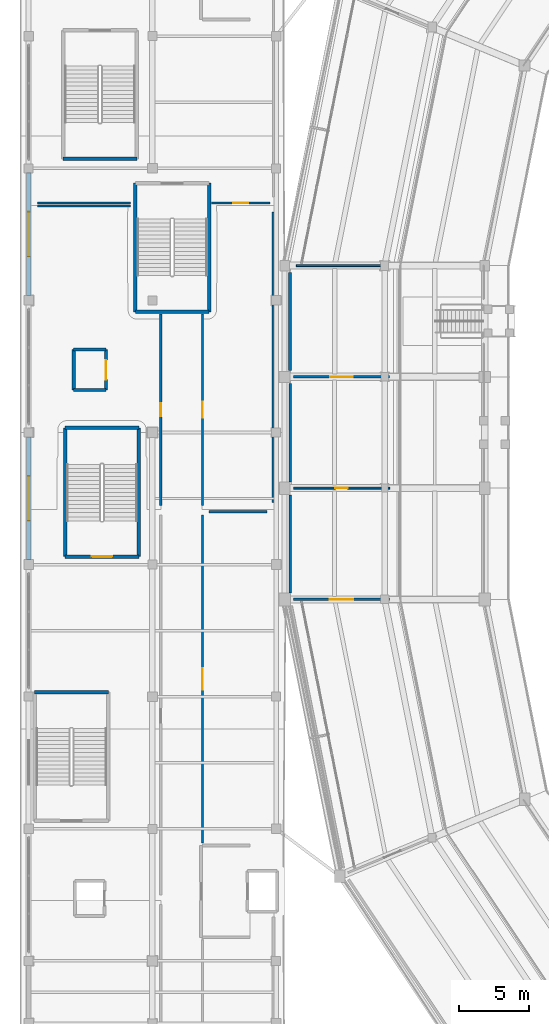
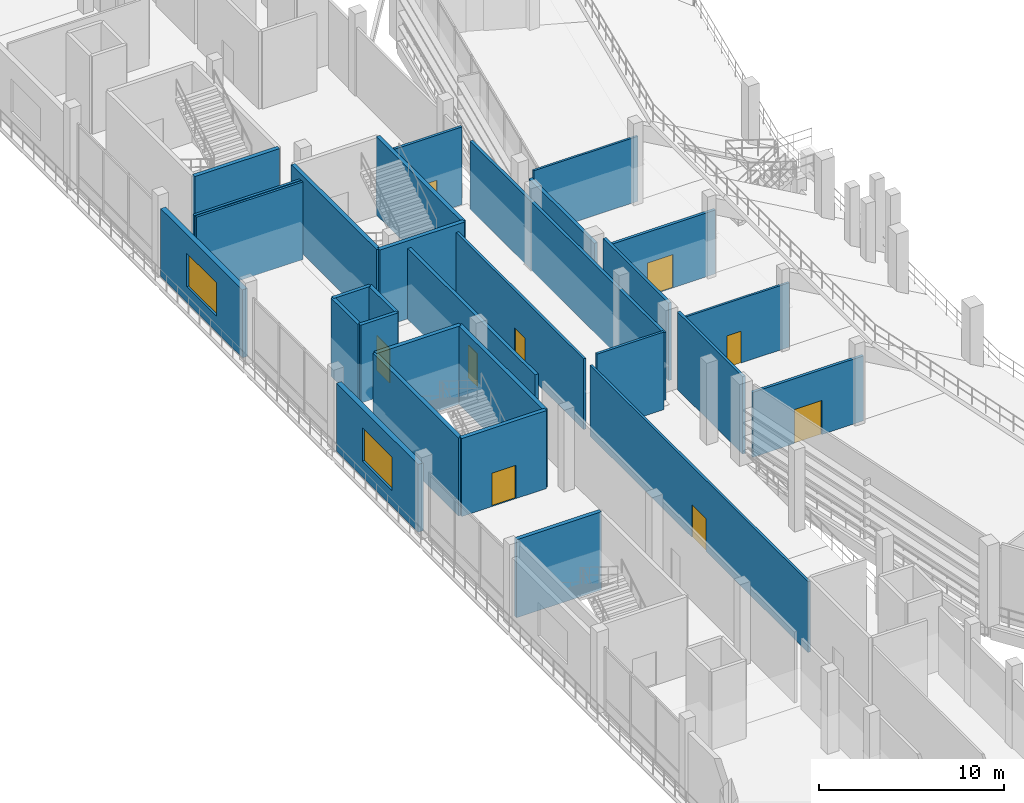
# One storey, part 76 of 127: 30 walls, 9 doors, 2 windows, 11 openings.
"""IFC4 building model written with IfcOpenShell, lengths in metres."""

from ifc_helpers import new_model, si_unit, direction, frame, frame_2d, origin, place, context, subcontext, project, spatial, rectangle, extrude, material, layer, layer_set, type_object, element, fill, save


model = new_model("IFC4")

# Units and contexts
model_context = context("Model", 3, precision=1e-05, world=origin(), true_north=direction((0.0, 1.0)))
body_context = subcontext(model_context, "Body", "Model", "MODEL_VIEW")
ifc_project = project(units=[si_unit("LENGTHUNIT", "METRE"), si_unit("AREAUNIT", "SQUARE_METRE"), si_unit("VOLUMEUNIT", "CUBIC_METRE"), si_unit("PLANEANGLEUNIT", "RADIAN"), si_unit("MASSUNIT", "GRAM", prefix="KILO")], contexts=[model_context])

# Site, building, storey
site_placement = place(None, origin())
site = spatial("IfcSite", under=ifc_project, at=site_placement, CompositionType="ELEMENT")
building_placement = place(site_placement, origin())
building = spatial("IfcBuilding", under=site, at=building_placement, Name="Candeia Ridge Stadium", CompositionType="ELEMENT")
storey_placement = place(building_placement, frame((0.0, 0.0, 10.800048828125)))
storey = spatial("IfcBuildingStorey", under=building, at=storey_placement, Name="L02", CompositionType="ELEMENT", Elevation=10.800048828125)

# Walls
ifc_material_1 = material(Name="Gypsum Metal-Stud Partition", Category="gypsum")
ifc_layer_1 = layer(ifc_material_1, 0.14501953125, Name="Gypsum Metal-Stud Partition", Category="gypsum")
ifc_layer_set_1 = layer_set([ifc_layer_1], Name="Gypsum Metal-Stud Partition")
wall_type_1 = type_object("IfcWallType", Name="Athlete Recovery Partition 145", PredefinedType="PARTITIONING", material=ifc_layer_set_1)
wall_1_placement = place(storey_placement, frame((1.25, 99.300048828125, 0.0), z_axis=(0.0, 0.0, 1.0), x_axis=(1.0, 0.0, 0.0)))
element("IfcWall", 1, at=wall_1_placement, inside=storey, type_object=wall_type_1, Name="Demising partition PT-L02-0343", PredefinedType="PARTITIONING", context=body_context, shape_type="SweptSolid", body=[
    extrude(rectangle(XDim=6.659912109375, YDim=0.14501953125, at=frame_2d((3.330078125, 0.0))), origin(), (0.0, 0.0, 1.0), 5.119873046875),
])
ifc_material_2 = material(Name="Gypsum Acoustic Twin-Stud Assembly", Category="gypsum")
ifc_layer_2 = layer(ifc_material_2, 0.159912109375, Name="Gypsum Acoustic Twin-Stud Assembly", Category="gypsum")
ifc_layer_set_2 = layer_set([ifc_layer_2], Name="Gypsum Acoustic Twin-Stud Assembly")
wall_type_2 = type_object("IfcWallType", Name="Club Dining Acoustic Partition 160", PredefinedType="PARTITIONING", material=ifc_layer_set_2)
wall_2_placement = place(storey_placement, frame((13.550048828125, 77.300048828125, 0.0), z_axis=(0.0, 0.0, 1.0), x_axis=(1.0, 0.0, 0.0)))
element("IfcWall", 2, at=wall_2_placement, inside=storey, type_object=wall_type_2, Name="Demising partition PT-L02-0341", PredefinedType="PARTITIONING", context=body_context, shape_type="SweptSolid", body=[
    extrude(rectangle(XDim=4.199951171875, YDim=0.159912109375, at=frame_2d((2.10009765625, 0.0))), origin(), (0.0, 0.0, 1.0), 5.119873046875),
])

# Wall, opening, door
wall_3_placement = place(storey_placement, frame((13.10009765625, 77.75, 0.0), z_axis=(0.0, 0.0, 1.0), x_axis=(0.0, 1.0, 0.0)))
wall_3 = element("IfcWall", 3, at=wall_3_placement, inside=storey, type_object=wall_type_2, Name="Interior partition PT-L02-0344", PredefinedType="PARTITIONING", context=body_context, shape_type="SweptSolid", body=[
    extrude(rectangle(XDim=13.760009765625, YDim=0.159912109375, at=frame_2d((6.8798828125, 0.0))), origin(), (0.0, 0.0, 1.0), 4.677978515625),
])
opening_1_placement = place(wall_3_placement, frame((6.304931640625, 0.0, 0.0)))
opening_1 = element("IfcOpeningElement", 4, at=opening_1_placement, cuts=wall_3, Name="Opening ID02", PredefinedType="OPENING", context=body_context, shape_type="SweptSolid", body=[
    extrude(rectangle(XDim=1.14990234375, YDim=2.199951171875, at=frame_2d((0.574951171875, 1.10009765625))), frame((0.0, 0.08984375, 0.0), z_axis=(0.0, -1.0, 0.0), x_axis=(1.0, 0.0, 0.0)), (0.0, 0.0, 1.0), 0.179931640625),
])
ifc_material_3 = material(Name="Acoustic Timber Studio Leaf", Category="wood")
door_type_1 = type_object("IfcDoorType", Name="Broadcast & Press Studio Door 1150x2200", OperationType="NOTDEFINED", PredefinedType="DOOR", material=ifc_material_3)
door_1_placement = place(opening_1_placement, origin())
door_1 = element("IfcDoor", 5, at=door_1_placement, inside=storey, type_object=door_type_1, Name="Interior room door D-L02-0178", OperationType="SINGLE_SWING_RIGHT", OverallHeight=2.199951171875, OverallWidth=1.14990234375, PredefinedType="DOOR", context=body_context, shape_type="SweptSolid", body=[
    extrude(rectangle(XDim=1.14990234375, YDim=2.199951171875, at=frame_2d((0.574951171875, 1.10009765625))), frame((0.0, 0.02490234375, 0.0), z_axis=(0.0, -1.0, 0.0), x_axis=(1.0, 0.0, 0.0)), (0.0, 0.0, 1.0), 0.050048828125),
])
fill(opening_1, door_1)

ifc_material_4 = material(Name="Concrete Masonry Blockwork C25/30", Category="masonry")
ifc_layer_3 = layer(ifc_material_4, 0.14990234375, Name="Concrete Masonry Blockwork C25/30", Category="masonry")
ifc_layer_set_3 = layer_set([ifc_layer_3], Name="Concrete Masonry Blockwork C25/30")
wall_type_3 = type_object("IfcWallType", Name="Concourse Kiosk Partition 150", PredefinedType="PARTITIONING", material=ifc_layer_set_3)
wall_4_placement = place(storey_placement, frame((13.10009765625, 53.489990234375, 0.0), z_axis=(0.0, 0.0, 1.0), x_axis=(0.0, 1.0, 0.0)))
wall_4 = element("IfcWall", 6, at=wall_4_placement, inside=storey, type_object=wall_type_3, Name="Interior partition PT-L02-0340", PredefinedType="PARTITIONING", context=body_context, shape_type="SweptSolid", body=[
    extrude(rectangle(XDim=23.56005859375, YDim=0.14990234375, at=frame_2d((11.780029296875, 0.0))), origin(), (0.0, 0.0, 1.0), 4.677978515625),
])
opening_2_placement = place(wall_4_placement, frame((11.0048828125, 0.0, 0.0)))
opening_2 = element("IfcOpeningElement", 7, at=opening_2_placement, cuts=wall_4, Name="Opening ID14", PredefinedType="OPENING", context=body_context, shape_type="SweptSolid", body=[
    extrude(rectangle(XDim=1.550048828125, YDim=2.14990234375, at=frame_2d((0.77490234375, 1.074951171875))), frame((0.0, 0.0849609375, 0.0), z_axis=(0.0, -1.0, 0.0), x_axis=(1.0, 0.0, 0.0)), (0.0, 0.0, 1.0), 0.169921875),
])
ifc_material_5 = material(Name="Brushed Stainless Steel", Category="steel")
door_type_2 = type_object("IfcDoorType", Name="Catering Kitchen Double Door 1550x2150", OperationType="NOTDEFINED", PredefinedType="DOOR", material=ifc_material_5)
door_2_placement = place(opening_2_placement, origin())
door_2 = element("IfcDoor", 8, at=door_2_placement, inside=storey, type_object=door_type_2, Name="Interior room door D-L02-0176", OperationType="DOUBLE_DOOR_SINGLE_SWING", OverallHeight=2.14990234375, OverallWidth=1.550048828125, PredefinedType="DOOR", context=body_context, shape_type="SweptSolid", body=[
    extrude(rectangle(XDim=1.550048828125, YDim=2.14990234375, at=frame_2d((0.77490234375, 1.074951171875))), frame((0.0, 0.02490234375, 0.0), z_axis=(0.0, -1.0, 0.0), x_axis=(1.0, 0.0, 0.0)), (0.0, 0.0, 1.0), 0.050048828125),
])
fill(opening_2, door_2)

# Walls
ifc_material_6 = material(Name="Concrete C40/50", Category="concrete")
ifc_layer_4 = layer(ifc_material_6, 0.25, Name="Concrete C40/50", Category="concrete")
ifc_layer_set_4 = layer_set([ifc_layer_4], Name="Concrete C40/50")
wall_type_4 = type_object("IfcWallType", Name="Core Shear Wall Concrete 250", PredefinedType="SHEAR", material=ifc_layer_set_4)
wall_5_placement = place(storey_placement, frame((6.32470703125, 64.32470703125, 0.0), z_axis=(0.0, 0.0, 1.0), x_axis=(-1.0, 0.0, 0.0)))
element("IfcWall", 9, at=wall_5_placement, inside=storey, type_object=wall_type_4, Name="Core C05 far shear wall L02", PredefinedType="SHEAR", context=body_context, shape_type="SweptSolid", body=[
    extrude(rectangle(XDim=5.29931640625, YDim=0.25, at=frame_2d((2.649658203125, 0.0))), origin(), (0.0, 0.0, 1.0), 5.14990234375),
])
wall_6_placement = place(storey_placement, frame((3.075439453125, 102.67529296875, 0.0), z_axis=(0.0, 0.0, 1.0), x_axis=(1.0, 0.0, 0.0)))
element("IfcWall", 10, at=wall_6_placement, inside=storey, type_object=wall_type_4, Name="Core C06 far shear wall L02", PredefinedType="SHEAR", context=body_context, shape_type="SweptSolid", body=[
    extrude(rectangle(XDim=5.299072265625, YDim=0.25, at=frame_2d((2.6494140625, 0.0))), origin(), (0.0, 0.0, 1.0), 5.14990234375),
])
wall_7_placement = place(storey_placement, frame((8.524658203125, 74.075439453125, 0.0), z_axis=(0.0, 0.0, 1.0), x_axis=(0.0, 1.0, 0.0)))
element("IfcWall", 11, at=wall_7_placement, inside=storey, type_object=wall_type_4, Name="Core C07 left shear wall L02", PredefinedType="SHEAR", context=body_context, shape_type="SweptSolid", body=[
    extrude(rectangle(XDim=9.249267578125, YDim=0.25, at=frame_2d((4.62451171875, 0.0))), origin(), (0.0, 0.0, 1.0), 5.14990234375),
])
wall_8_placement = place(storey_placement, frame((8.524658203125, 83.32470703125, 0.0), z_axis=(0.0, 0.0, 1.0), x_axis=(-1.0, 0.0, 0.0)))
element("IfcWall", 12, at=wall_8_placement, inside=storey, type_object=wall_type_4, Name="Core C07 far shear wall L02", PredefinedType="SHEAR", context=body_context, shape_type="SweptSolid", body=[
    extrude(rectangle(XDim=5.29931640625, YDim=0.25, at=frame_2d((2.649658203125, 0.0))), origin(), (0.0, 0.0, 1.0), 5.14990234375),
])
wall_9_placement = place(storey_placement, frame((3.225341796875, 83.32470703125, 0.0), z_axis=(0.0, 0.0, 1.0), x_axis=(0.0, -1.0, 0.0)))
element("IfcWall", 13, at=wall_9_placement, inside=storey, type_object=wall_type_4, Name="Core C07 right shear wall L02", PredefinedType="SHEAR", context=body_context, shape_type="SweptSolid", body=[
    extrude(rectangle(XDim=9.249267578125, YDim=0.25, at=frame_2d((4.62451171875, 0.0))), origin(), (0.0, 0.0, 1.0), 5.14990234375),
])

# Wall, opening, door
wall_10_placement = place(storey_placement, frame((3.225341796875, 74.075439453125, 0.0), z_axis=(0.0, 0.0, 1.0), x_axis=(1.0, 0.0, 0.0)))
wall_10 = element("IfcWall", 14, at=wall_10_placement, inside=storey, type_object=wall_type_4, Name="Core C07 near shear wall L02", PredefinedType="SHEAR", context=body_context, shape_type="SweptSolid", body=[
    extrude(rectangle(XDim=5.29931640625, YDim=0.25, at=frame_2d((2.649658203125, 0.0))), origin(), (0.0, 0.0, 1.0), 5.14990234375),
])
opening_3_placement = place(wall_10_placement, frame((1.899658203125, 0.0, 0.0)))
opening_3 = element("IfcOpeningElement", 15, at=opening_3_placement, cuts=wall_10, Name="Opening FD01", PredefinedType="OPENING", context=body_context, shape_type="SweptSolid", body=[
    extrude(rectangle(XDim=1.5, YDim=2.199951171875, at=frame_2d((0.75, 1.10009765625))), frame((0.0, 0.135009765625, 0.0), z_axis=(0.0, -1.0, 0.0), x_axis=(1.0, 0.0, 0.0)), (0.0, 0.0, 1.0), 0.27001953125),
])
ifc_material_7 = material(Name="Galvanized Fire-Rated Steel", Category="steel")
door_type_3 = type_object("IfcDoorType", Name="Exit Stair Core Fire Door 1500x2200", OperationType="NOTDEFINED", PredefinedType="DOOR", material=ifc_material_7)
door_3_placement = place(opening_3_placement, origin())
door_3 = element("IfcDoor", 16, at=door_3_placement, inside=storey, type_object=door_type_3, Name="Exit stair fire door SD-ST07-L02", OperationType="DOUBLE_DOOR_SINGLE_SWING", OverallHeight=2.199951171875, OverallWidth=1.5, PredefinedType="DOOR", context=body_context, shape_type="SweptSolid", body=[
    extrude(rectangle(XDim=1.5, YDim=2.199951171875, at=frame_2d((0.75, 1.10009765625))), frame((0.0, 0.02490234375, 0.0), z_axis=(0.0, -1.0, 0.0), x_axis=(1.0, 0.0, 0.0)), (0.0, 0.0, 1.0), 0.050048828125),
])
fill(opening_3, door_3)

# Walls
wall_11_placement = place(storey_placement, frame((8.275390625, 100.924560546875, 0.0), z_axis=(0.0, 0.0, 1.0), x_axis=(0.0, -1.0, 0.0)))
element("IfcWall", 17, at=wall_11_placement, inside=storey, type_object=wall_type_4, Name="Core C08 left shear wall L02", PredefinedType="SHEAR", context=body_context, shape_type="SweptSolid", body=[
    extrude(rectangle(XDim=9.249267578125, YDim=0.25, at=frame_2d((4.62451171875, 0.0))), origin(), (0.0, 0.0, 1.0), 5.14990234375),
])
wall_12_placement = place(storey_placement, frame((8.275390625, 91.67529296875, 0.0), z_axis=(0.0, 0.0, 1.0), x_axis=(1.0, 0.0, 0.0)))
element("IfcWall", 18, at=wall_12_placement, inside=storey, type_object=wall_type_4, Name="Core C08 far shear wall L02", PredefinedType="SHEAR", context=body_context, shape_type="SweptSolid", body=[
    extrude(rectangle(XDim=5.29931640625, YDim=0.25, at=frame_2d((2.649658203125, 0.0))), origin(), (0.0, 0.0, 1.0), 5.14990234375),
])
wall_13_placement = place(storey_placement, frame((13.57470703125, 91.67529296875, 0.0), z_axis=(0.0, 0.0, 1.0), x_axis=(0.0, 1.0, 0.0)))
element("IfcWall", 19, at=wall_13_placement, inside=storey, type_object=wall_type_4, Name="Core C08 right shear wall L02", PredefinedType="SHEAR", context=body_context, shape_type="SweptSolid", body=[
    extrude(rectangle(XDim=9.249267578125, YDim=0.25, at=frame_2d((4.62451171875, 0.0))), origin(), (0.0, 0.0, 1.0), 5.14990234375),
])

# Wall, opening, door
ifc_layer_5 = layer(ifc_material_2, 0.179931640625, Name="Gypsum Acoustic Twin-Stud Assembly", Category="gypsum")
ifc_layer_set_5 = layer_set([ifc_layer_5], Name="Gypsum Acoustic Twin-Stud Assembly")
wall_type_5 = type_object("IfcWallType", Name="Corridor Fire Partition 180", PredefinedType="PARTITIONING", material=ifc_layer_set_5)
wall_14_placement = place(storey_placement, frame((26.550048828125, 87.0, 0.0), z_axis=(0.0, 0.0, 1.0), x_axis=(-1.0, 0.0, 0.0)))
wall_14 = element("IfcWall", 20, at=wall_14_placement, inside=storey, type_object=wall_type_5, Name="Interior partition PT-L02-0463", PredefinedType="PARTITIONING", context=body_context, shape_type="SweptSolid", body=[
    extrude(rectangle(XDim=6.900146484375, YDim=0.179931640625, at=frame_2d((3.4501953125, 0.0))), origin(), (0.0, 0.0, 1.0), 4.21484375),
])
opening_4_placement = place(wall_14_placement, frame((2.64990234375, 0.0, 0.0)))
opening_4 = element("IfcOpeningElement", 21, at=opening_4_placement, cuts=wall_14, Name="Opening ID03", PredefinedType="OPENING", context=body_context, shape_type="SweptSolid", body=[
    extrude(rectangle(XDim=1.60009765625, YDim=2.199951171875, at=frame_2d((0.800048828125, 1.10009765625))), frame((0.0, 0.099853515625, 0.0), z_axis=(0.0, -1.0, 0.0), x_axis=(1.0, 0.0, 0.0)), (0.0, 0.0, 1.0), 0.199951171875),
])
ifc_material_8 = material(Name="Solid Core Hardwood Veneer", Category="wood")
door_type_4 = type_object("IfcDoorType", Name="Athlete Dressing Double Door 1600x2200", OperationType="NOTDEFINED", PredefinedType="DOOR", material=ifc_material_8)
door_4_placement = place(opening_4_placement, origin())
door_4 = element("IfcDoor", 22, at=door_4_placement, inside=storey, type_object=door_type_4, Name="Interior room door D-L02-0239", OperationType="DOUBLE_DOOR_SINGLE_SWING", OverallHeight=2.199951171875, OverallWidth=1.60009765625, PredefinedType="DOOR", context=body_context, shape_type="SweptSolid", body=[
    extrude(rectangle(XDim=1.60009765625, YDim=2.199951171875, at=frame_2d((0.800048828125, 1.10009765625))), frame((0.0, 0.02490234375, 0.0), z_axis=(0.0, -1.0, 0.0), x_axis=(1.0, 0.0, 0.0)), (0.0, 0.0, 1.0), 0.050048828125),
])
fill(opening_4, door_4)

# Wall, opening, window
ifc_material_9 = material(Name="Concrete C35/45", Category="concrete")
ifc_layer_6 = layer(ifc_material_9, 0.320068359375, Name="Concrete C35/45", Category="concrete")
ifc_layer_set_6 = layer_set([ifc_layer_6], Name="Concrete C35/45")
wall_type_6 = type_object("IfcWallType", Name="Exterior Cedar-Clad Insulated Wall 320", PredefinedType="SOLIDWALL", material=ifc_layer_set_6)
wall_15_placement = place(storey_placement, frame((0.60009765625, 73.837890625, 0.0), z_axis=(0.0, 0.0, 1.0), x_axis=(0.0, 1.0, 0.0)))
wall_15 = element("IfcWall", 23, at=wall_15_placement, inside=storey, type_object=wall_type_6, Name="Exterior facade wall EW-L02-0078", PredefinedType="SOLIDWALL", context=body_context, shape_type="SweptSolid", body=[
    extrude(rectangle(XDim=8.84912109375, YDim=0.320068359375, at=frame_2d((4.424560546875, 0.0))), origin(), (0.0, 0.0, 1.0), 4.48486328125),
])
opening_5_placement = place(wall_15_placement, frame((2.824462890625, 0.0, 1.050048828125)))
opening_5 = element("IfcOpeningElement", 24, at=opening_5_placement, cuts=wall_15, Name="Opening W05", PredefinedType="OPENING", context=body_context, shape_type="SweptSolid", body=[
    extrude(rectangle(XDim=3.199951171875, YDim=2.199951171875, at=frame_2d((1.60009765625, 1.10009765625))), frame((0.0, 0.169921875, 0.0), z_axis=(0.0, -1.0, 0.0), x_axis=(1.0, 0.0, 0.0)), (0.0, 0.0, 1.0), 0.340087890625),
])
ifc_material_10 = material(Name="Tempered Solar-Control Double Glazing", Category="glass")
window_type = type_object("IfcWindowType", Name="Club Dining Picture Window 3200x2200", PartitioningType="SINGLE_PANEL", PredefinedType="WINDOW", material=ifc_material_10)
window_1_placement = place(opening_5_placement, origin())
window_1 = element("IfcWindow", 25, at=window_1_placement, inside=storey, type_object=window_type, Name="Exterior window WIN-L02-032", OverallHeight=2.199951171875, OverallWidth=3.199951171875, PartitioningType="SINGLE_PANEL", PredefinedType="WINDOW", context=body_context, shape_type="SweptSolid", body=[
    extrude(rectangle(XDim=3.199951171875, YDim=2.199951171875, at=frame_2d((1.60009765625, 1.10009765625))), frame((0.0, 0.030029296875, 0.0), z_axis=(0.0, -1.0, 0.0), x_axis=(1.0, 0.0, 0.0)), (0.0, 0.0, 1.0), 0.06005859375),
])
fill(opening_5, window_1)

wall_16_placement = place(storey_placement, frame((0.60009765625, 92.837890625, 0.0), z_axis=(0.0, 0.0, 1.0), x_axis=(0.0, 1.0, 0.0)))
wall_16 = element("IfcWall", 26, at=wall_16_placement, inside=storey, type_object=wall_type_6, Name="Exterior facade wall EW-L02-0079", PredefinedType="SOLIDWALL", context=body_context, shape_type="SweptSolid", body=[
    extrude(rectangle(XDim=8.84912109375, YDim=0.320068359375, at=frame_2d((4.424560546875, 0.0))), origin(), (0.0, 0.0, 1.0), 4.48486328125),
])
opening_6_placement = place(wall_16_placement, frame((2.824462890625, 0.0, 1.050048828125)))
opening_6 = element("IfcOpeningElement", 27, at=opening_6_placement, cuts=wall_16, Name="Opening W05", PredefinedType="OPENING", context=body_context, shape_type="SweptSolid", body=[
    extrude(rectangle(XDim=3.199951171875, YDim=2.199951171875, at=frame_2d((1.60009765625, 1.10009765625))), frame((0.0, 0.169921875, 0.0), z_axis=(0.0, -1.0, 0.0), x_axis=(1.0, 0.0, 0.0)), (0.0, 0.0, 1.0), 0.340087890625),
])
window_2_placement = place(opening_6_placement, origin())
window_2 = element("IfcWindow", 28, at=window_2_placement, inside=storey, type_object=window_type, Name="Exterior window WIN-L02-033", OverallHeight=2.199951171875, OverallWidth=3.199951171875, PartitioningType="SINGLE_PANEL", PredefinedType="WINDOW", context=body_context, shape_type="SweptSolid", body=[
    extrude(rectangle(XDim=3.199951171875, YDim=2.199951171875, at=frame_2d((1.60009765625, 1.10009765625))), frame((0.0, 0.030029296875, 0.0), z_axis=(0.0, -1.0, 0.0), x_axis=(1.0, 0.0, 0.0)), (0.0, 0.0, 1.0), 0.06005859375),
])
fill(opening_6, window_2)

# Wall
ifc_layer_7 = layer(ifc_material_1, 0.135009765625, Name="Gypsum Metal-Stud Partition", Category="gypsum")
ifc_layer_set_7 = layer_set([ifc_layer_7], Name="Gypsum Metal-Stud Partition")
wall_type_7 = type_object("IfcWallType", Name="General Room Partition 135", PredefinedType="PARTITIONING", material=ifc_layer_set_7)
wall_17_placement = place(storey_placement, frame((26.35009765625, 95.0, 0.0), z_axis=(0.0, 0.0, 1.0), x_axis=(-1.0, 0.0, 0.0)))
element("IfcWall", 29, at=wall_17_placement, inside=storey, type_object=wall_type_7, Name="Demising partition PT-L02-0462", PredefinedType="PARTITIONING", context=body_context, shape_type="SweptSolid", body=[
    extrude(rectangle(XDim=6.5, YDim=0.135009765625, at=frame_2d((3.25, 0.0))), origin(), (0.0, 0.0, 1.0), 4.284912109375),
])

# Wall, opening, door
wall_18_placement = place(storey_placement, frame((26.550048828125, 79.0, 0.0), z_axis=(0.0, 0.0, 1.0), x_axis=(-1.0, 0.0, 0.0)))
wall_18 = element("IfcWall", 30, at=wall_18_placement, inside=storey, type_object=wall_type_7, Name="Interior partition PT-L02-0465", PredefinedType="PARTITIONING", context=body_context, shape_type="SweptSolid", body=[
    extrude(rectangle(XDim=6.900146484375, YDim=0.135009765625, at=frame_2d((3.4501953125, 0.0))), origin(), (0.0, 0.0, 1.0), 4.2548828125),
])
opening_7_placement = place(wall_18_placement, frame((3.0, 0.0, 0.0)))
opening_7 = element("IfcOpeningElement", 31, at=opening_7_placement, cuts=wall_18, Name="Opening ID07", PredefinedType="OPENING", context=body_context, shape_type="SweptSolid", body=[
    extrude(rectangle(XDim=0.89990234375, YDim=2.10009765625, at=frame_2d((0.449951171875, 1.050048828125))), frame((0.0, 0.077392578125, 0.0), z_axis=(0.0, -1.0, 0.0), x_axis=(1.0, 0.0, 0.0)), (0.0, 0.0, 1.0), 0.155029296875),
])
ifc_material_11 = material(Name="Moisture-Resistant Laminate", Category="wood")
door_type_5 = type_object("IfcDoorType", Name="Sanitary Lobby Single Door 900x2100", OperationType="NOTDEFINED", PredefinedType="DOOR", material=ifc_material_11)
door_5_placement = place(opening_7_placement, frame((0.89990234375, 0.0, 0.0), z_axis=(0.0, 0.0, 1.0), x_axis=(-1.0, 0.0, 0.0)))
door_5 = element("IfcDoor", 32, at=door_5_placement, inside=storey, type_object=door_type_5, Name="Interior room door D-L02-0240", OperationType="SINGLE_SWING_LEFT", OverallHeight=2.10009765625, OverallWidth=0.89990234375, PredefinedType="DOOR", context=body_context, shape_type="SweptSolid", body=[
    extrude(rectangle(XDim=0.89990234375, YDim=2.10009765625, at=frame_2d((0.449951171875, 1.050048828125))), frame((0.0, 0.02490234375, 0.0), z_axis=(0.0, -1.0, 0.0), x_axis=(1.0, 0.0, 0.0)), (0.0, 0.0, 1.0), 0.050048828125),
])
fill(opening_7, door_5)

# Wall
ifc_layer_8 = layer(ifc_material_2, 0.1650390625, Name="Gypsum Acoustic Twin-Stud Assembly", Category="gypsum")
ifc_layer_set_8 = layer_set([ifc_layer_8], Name="Gypsum Acoustic Twin-Stud Assembly")
wall_type_8 = type_object("IfcWallType", Name="Hospitality Suite Acoustic Wall 165", PredefinedType="PARTITIONING", material=ifc_layer_set_8)
wall_19_placement = place(storey_placement, frame((7.909912109375, 99.5, 0.0), z_axis=(0.0, 0.0, 1.0), x_axis=(-1.0, 0.0, 0.0)))
element("IfcWall", 33, at=wall_19_placement, inside=storey, type_object=wall_type_8, Name="Demising partition PT-L02-0347", PredefinedType="PARTITIONING", context=body_context, shape_type="SweptSolid", body=[
    extrude(rectangle(XDim=6.659912109375, YDim=0.1650390625, at=frame_2d((3.330078125, 0.0))), origin(), (0.0, 0.0, 1.0), 5.119873046875),
])

# Wall, opening, door
wall_20_placement = place(storey_placement, frame((17.949951171875, 99.5, 0.0), z_axis=(0.0, 0.0, 1.0), x_axis=(-1.0, 0.0, 0.0)))
wall_20 = element("IfcWall", 34, at=wall_20_placement, inside=storey, type_object=wall_type_8, Name="Interior partition PT-L02-0348", PredefinedType="PARTITIONING", context=body_context, shape_type="SweptSolid", body=[
    extrude(rectangle(XDim=4.2099609375, YDim=0.1650390625, at=frame_2d((2.10498046875, 0.0))), origin(), (0.0, 0.0, 1.0), 5.119873046875),
])
opening_8_placement = place(wall_20_placement, frame((1.554931640625, 0.0, 0.0)))
opening_8 = element("IfcOpeningElement", 35, at=opening_8_placement, cuts=wall_20, Name="Opening FD04", PredefinedType="OPENING", context=body_context, shape_type="SweptSolid", body=[
    extrude(rectangle(XDim=1.10009765625, YDim=2.14990234375, at=frame_2d((0.550048828125, 1.074951171875))), frame((0.0, 0.092529296875, 0.0), z_axis=(0.0, -1.0, 0.0), x_axis=(1.0, 0.0, 0.0)), (0.0, 0.0, 1.0), 0.18505859375),
])
door_type_6 = type_object("IfcDoorType", Name="Plant & Riser Rated Door 1100x2150", OperationType="NOTDEFINED", PredefinedType="DOOR", material=ifc_material_7)
door_6_placement = place(opening_8_placement, frame((1.10009765625, 0.0, 0.0), z_axis=(0.0, 0.0, 1.0), x_axis=(-1.0, 0.0, 0.0)))
door_6 = element("IfcDoor", 36, at=door_6_placement, inside=storey, type_object=door_type_6, Name="Interior room door D-L02-0180", OperationType="SINGLE_SWING_RIGHT", OverallHeight=2.14990234375, OverallWidth=1.10009765625, PredefinedType="DOOR", context=body_context, shape_type="SweptSolid", body=[
    extrude(rectangle(XDim=1.10009765625, YDim=2.14990234375, at=frame_2d((0.550048828125, 1.074951171875))), frame((0.0, 0.02490234375, 0.0), z_axis=(0.0, -1.0, 0.0), x_axis=(1.0, 0.0, 0.0)), (0.0, 0.0, 1.0), 0.050048828125),
])
fill(opening_8, door_6)

# Wall
ifc_layer_9 = layer(ifc_material_6, 0.219970703125, Name="Concrete C40/50", Category="concrete")
ifc_layer_set_9 = layer_set([ifc_layer_9], Name="Concrete C40/50")
wall_type_9 = type_object("IfcWallType", Name="Lift & Riser Shaft Wall 220", PredefinedType="SHEAR", material=ifc_layer_set_9)
wall_21_placement = place(storey_placement, frame((3.840087890625, 86.0400390625, 0.0), z_axis=(0.0, 0.0, 1.0), x_axis=(1.0, 0.0, 0.0)))
element("IfcWall", 37, at=wall_21_placement, inside=storey, type_object=wall_type_9, Name="Lift GL1 shaft wall L02 south", PredefinedType="SHEAR", context=body_context, shape_type="SweptSolid", body=[
    extrude(rectangle(XDim=2.31982421875, YDim=0.219970703125, at=frame_2d((1.159912109375, 0.0))), origin(), (0.0, 0.0, 1.0), 5.14990234375),
])

# Wall, opening, door
wall_22_placement = place(storey_placement, frame((6.159912109375, 86.0400390625, 0.0), z_axis=(0.0, 0.0, 1.0), x_axis=(0.0, 1.0, 0.0)))
wall_22 = element("IfcWall", 38, at=wall_22_placement, inside=storey, type_object=wall_type_9, Name="Lift GL1 shaft wall L02 east", PredefinedType="SHEAR", context=body_context, shape_type="SweptSolid", body=[
    extrude(rectangle(XDim=2.919921875, YDim=0.219970703125, at=frame_2d((1.4599609375, 0.0))), origin(), (0.0, 0.0, 1.0), 5.14990234375),
])
opening_9_placement = place(wall_22_placement, frame((0.760009765625, 0.0, 0.0)))
opening_9 = element("IfcOpeningElement", 39, at=opening_9_placement, cuts=wall_22, Name="Opening LD03", PredefinedType="OPENING", context=body_context, shape_type="SweptSolid", body=[
    extrude(rectangle(XDim=1.39990234375, YDim=2.300048828125, at=frame_2d((0.699951171875, 1.14990234375))), frame((0.0, 0.119873046875, 0.0), z_axis=(0.0, -1.0, 0.0), x_axis=(1.0, 0.0, 0.0)), (0.0, 0.0, 1.0), 0.239990234375),
])
door_type_7 = type_object("IfcDoorType", Name="Goods Lift Landing Door 1400x2300", OperationType="NOTDEFINED", PredefinedType="DOOR", material=ifc_material_5)
door_7_placement = place(opening_9_placement, origin())
door_7 = element("IfcDoor", 40, at=door_7_placement, inside=storey, type_object=door_type_7, Name="Lift landing sliding door LD-GL1-L02", OperationType="DOUBLE_DOOR_SLIDING", OverallHeight=2.300048828125, OverallWidth=1.39990234375, PredefinedType="DOOR", context=body_context, shape_type="SweptSolid", body=[
    extrude(rectangle(XDim=1.39990234375, YDim=2.300048828125, at=frame_2d((0.699951171875, 1.14990234375))), frame((0.0, 0.02490234375, 0.0), z_axis=(0.0, -1.0, 0.0), x_axis=(1.0, 0.0, 0.0)), (0.0, 0.0, 1.0), 0.050048828125),
])
fill(opening_9, door_7)

# Walls
wall_23_placement = place(storey_placement, frame((6.159912109375, 88.9599609375, 0.0), z_axis=(0.0, 0.0, 1.0), x_axis=(-1.0, 0.0, 0.0)))
element("IfcWall", 41, at=wall_23_placement, inside=storey, type_object=wall_type_9, Name="Lift GL1 shaft wall L02 north", PredefinedType="SHEAR", context=body_context, shape_type="SweptSolid", body=[
    extrude(rectangle(XDim=2.31982421875, YDim=0.219970703125, at=frame_2d((1.159912109375, 0.0))), origin(), (0.0, 0.0, 1.0), 5.14990234375),
])
wall_24_placement = place(storey_placement, frame((3.840087890625, 88.9599609375, 0.0), z_axis=(0.0, 0.0, 1.0), x_axis=(0.0, -1.0, 0.0)))
element("IfcWall", 42, at=wall_24_placement, inside=storey, type_object=wall_type_9, Name="Lift GL1 shaft wall L02 west", PredefinedType="SHEAR", context=body_context, shape_type="SweptSolid", body=[
    extrude(rectangle(XDim=2.919921875, YDim=0.219970703125, at=frame_2d((1.4599609375, 0.0))), origin(), (0.0, 0.0, 1.0), 5.14990234375),
])
ifc_material_12 = material(Name="Gypsum Acoustic Triple-Board Wall", Category="gypsum")
ifc_layer_10 = layer(ifc_material_12, 0.18505859375, Name="Gypsum Acoustic Triple-Board Wall", Category="gypsum")
ifc_layer_set_10 = layer_set([ifc_layer_10], Name="Gypsum Acoustic Triple-Board Wall")
wall_type_10 = type_object("IfcWallType", Name="Media Booth Studio Divider 185", PredefinedType="PARTITIONING", material=ifc_layer_set_10)
wall_25_placement = place(storey_placement, frame((18.199951171875, 98.85009765625, 0.0), z_axis=(0.0, 0.0, 1.0), x_axis=(0.0, -1.0, 0.0)))
element("IfcWall", 43, at=wall_25_placement, inside=storey, type_object=wall_type_10, Name="Demising partition PT-L02-0345", PredefinedType="PARTITIONING", context=body_context, shape_type="SweptSolid", body=[
    extrude(rectangle(XDim=20.900146484375, YDim=0.18505859375, at=frame_2d((10.4501953125, 0.0))), origin(), (0.0, 0.0, 1.0), 4.48486328125),
])
ifc_layer_11 = layer(ifc_material_2, 0.175048828125, Name="Gypsum Acoustic Twin-Stud Assembly", Category="gypsum")
ifc_layer_set_11 = layer_set([ifc_layer_11], Name="Gypsum Acoustic Twin-Stud Assembly")
wall_type_11 = type_object("IfcWallType", Name="Museum Acoustic Gallery Wall 175", PredefinedType="PARTITIONING", material=ifc_layer_set_11)
wall_26_placement = place(storey_placement, frame((19.39990234375, 79.449951171875, 0.0), z_axis=(0.0, 0.0, 1.0), x_axis=(0.0, 1.0, 0.0)))
element("IfcWall", 44, at=wall_26_placement, inside=storey, type_object=wall_type_11, Name="Demising partition PT-L02-0466", PredefinedType="PARTITIONING", context=body_context, shape_type="SweptSolid", body=[
    extrude(rectangle(XDim=7.06005859375, YDim=0.175048828125, at=frame_2d((3.530029296875, 0.0))), origin(), (0.0, 0.0, 1.0), 5.119873046875),
])

# Wall, opening, door
wall_27_placement = place(storey_placement, frame((26.550048828125, 71.0, 0.0), z_axis=(0.0, 0.0, 1.0), x_axis=(-1.0, 0.0, 0.0)))
wall_27 = element("IfcWall", 45, at=wall_27_placement, inside=storey, type_object=wall_type_11, Name="Interior partition PT-L02-0467", PredefinedType="PARTITIONING", context=body_context, shape_type="SweptSolid", body=[
    extrude(rectangle(XDim=6.900146484375, YDim=0.175048828125, at=frame_2d((3.4501953125, 0.0))), origin(), (0.0, 0.0, 1.0), 4.284912109375),
])
opening_10_placement = place(wall_27_placement, frame((2.60009765625, 0.0, 0.0)))
opening_10 = element("IfcOpeningElement", 46, at=opening_10_placement, cuts=wall_27, Name="Opening ID09", PredefinedType="OPENING", context=body_context, shape_type="SweptSolid", body=[
    extrude(rectangle(XDim=1.699951171875, YDim=2.25, at=frame_2d((0.85009765625, 1.125))), frame((0.0, 0.097412109375, 0.0), z_axis=(0.0, -1.0, 0.0), x_axis=(1.0, 0.0, 0.0)), (0.0, 0.0, 1.0), 0.195068359375),
])
ifc_material_13 = material(Name="Timber Fire-Rated Acoustic", Category="wood")
door_type_8 = type_object("IfcDoorType", Name="Founders Lounge Double Door 1700x2250", OperationType="NOTDEFINED", PredefinedType="DOOR", material=ifc_material_13)
door_8_placement = place(opening_10_placement, origin())
door_8 = element("IfcDoor", 47, at=door_8_placement, inside=storey, type_object=door_type_8, Name="Interior room door D-L02-0241", OperationType="DOUBLE_DOOR_SINGLE_SWING", OverallHeight=2.25, OverallWidth=1.699951171875, PredefinedType="DOOR", context=body_context, shape_type="SweptSolid", body=[
    extrude(rectangle(XDim=1.699951171875, YDim=2.25, at=frame_2d((0.85009765625, 1.125))), frame((0.0, 0.02490234375, 0.0), z_axis=(0.0, -1.0, 0.0), x_axis=(1.0, 0.0, 0.0)), (0.0, 0.0, 1.0), 0.050048828125),
])
fill(opening_10, door_8)

ifc_material_14 = material(Name="Moisture-Resistant Masonry & Tile", Category="masonry")
ifc_layer_12 = layer(ifc_material_14, 0.2099609375, Name="Moisture-Resistant Masonry & Tile", Category="masonry")
ifc_layer_set_12 = layer_set([ifc_layer_12], Name="Moisture-Resistant Masonry & Tile")
wall_type_12 = type_object("IfcWallType", Name="Sanitary Wet-Wall Plumbing Chase 210", PredefinedType="PLUMBINGWALL", material=ifc_layer_set_12)
wall_28_placement = place(storey_placement, frame((10.10009765625, 91.510009765625, 0.0), z_axis=(0.0, 0.0, 1.0), x_axis=(0.0, -1.0, 0.0)))
wall_28 = element("IfcWall", 48, at=wall_28_placement, inside=storey, type_object=wall_type_12, Name="Interior partition PT-L02-0342", PredefinedType="PLUMBINGWALL", context=body_context, shape_type="SweptSolid", body=[
    extrude(rectangle(XDim=13.760009765625, YDim=0.2099609375, at=frame_2d((6.8798828125, 0.0))), origin(), (0.0, 0.0, 1.0), 4.677978515625),
])
opening_11_placement = place(wall_28_placement, frame((6.39990234375, 0.0, 0.0)))
opening_11 = element("IfcOpeningElement", 49, at=opening_11_placement, cuts=wall_28, Name="Opening ID17", PredefinedType="OPENING", context=body_context, shape_type="SweptSolid", body=[
    extrude(rectangle(XDim=0.9599609375, YDim=2.14990234375, at=frame_2d((0.47998046875, 1.074951171875))), frame((0.0, 0.114990234375, 0.0), z_axis=(0.0, -1.0, 0.0), x_axis=(1.0, 0.0, 0.0)), (0.0, 0.0, 1.0), 0.22998046875),
])
ifc_material_15 = material(Name="Solid Core Cedar Veneer", Category="wood")
door_type_9 = type_object("IfcDoorType", Name="Ticketing Office Single Door 960x2150", OperationType="NOTDEFINED", PredefinedType="DOOR", material=ifc_material_15)
door_9_placement = place(opening_11_placement, origin())
door_9 = element("IfcDoor", 50, at=door_9_placement, inside=storey, type_object=door_type_9, Name="Interior room door D-L02-0177", OperationType="SINGLE_SWING_LEFT", OverallHeight=2.14990234375, OverallWidth=0.9599609375, PredefinedType="DOOR", context=body_context, shape_type="SweptSolid", body=[
    extrude(rectangle(XDim=0.9599609375, YDim=2.14990234375, at=frame_2d((0.47998046875, 1.074951171875))), frame((0.0, 0.02490234375, 0.0), z_axis=(0.0, -1.0, 0.0), x_axis=(1.0, 0.0, 0.0)), (0.0, 0.0, 1.0), 0.050048828125),
])
fill(opening_11, door_9)

# Walls
wall_29_placement = place(storey_placement, frame((19.39990234375, 87.449951171875, 0.0), z_axis=(0.0, 0.0, 1.0), x_axis=(0.0, 1.0, 0.0)))
element("IfcWall", 51, at=wall_29_placement, inside=storey, type_object=wall_type_12, Name="Demising partition PT-L02-0464", PredefinedType="PLUMBINGWALL", context=body_context, shape_type="SweptSolid", body=[
    extrude(rectangle(XDim=7.06005859375, YDim=0.2099609375, at=frame_2d((3.530029296875, 0.0))), origin(), (0.0, 0.0, 1.0), 4.21484375),
])
ifc_layer_13 = layer(ifc_material_2, 0.169921875, Name="Gypsum Acoustic Twin-Stud Assembly", Category="gypsum")
ifc_layer_set_13 = layer_set([ifc_layer_13], Name="Gypsum Acoustic Twin-Stud Assembly")
wall_type_13 = type_object("IfcWallType", Name="Skybox Demising Acoustic Wall 170", PredefinedType="PARTITIONING", material=ifc_layer_set_13)
wall_30_placement = place(storey_placement, frame((19.39990234375, 71.449951171875, 0.0), z_axis=(0.0, 0.0, 1.0), x_axis=(0.0, 1.0, 0.0)))
element("IfcWall", 52, at=wall_30_placement, inside=storey, type_object=wall_type_13, Name="Demising partition PT-L02-0468", PredefinedType="PARTITIONING", context=body_context, shape_type="SweptSolid", body=[
    extrude(rectangle(XDim=7.06005859375, YDim=0.169921875, at=frame_2d((3.530029296875, 0.0))), origin(), (0.0, 0.0, 1.0), 5.119873046875),
])

save(model, "model.ifc")
